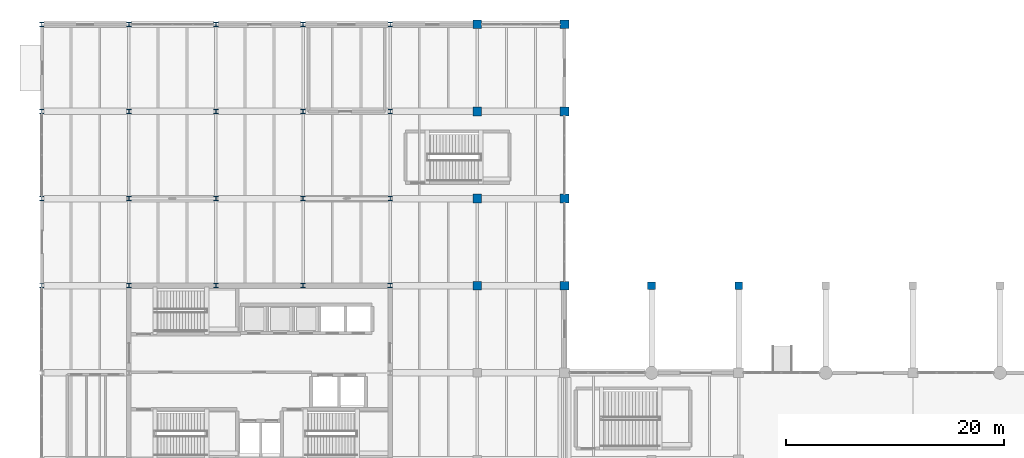
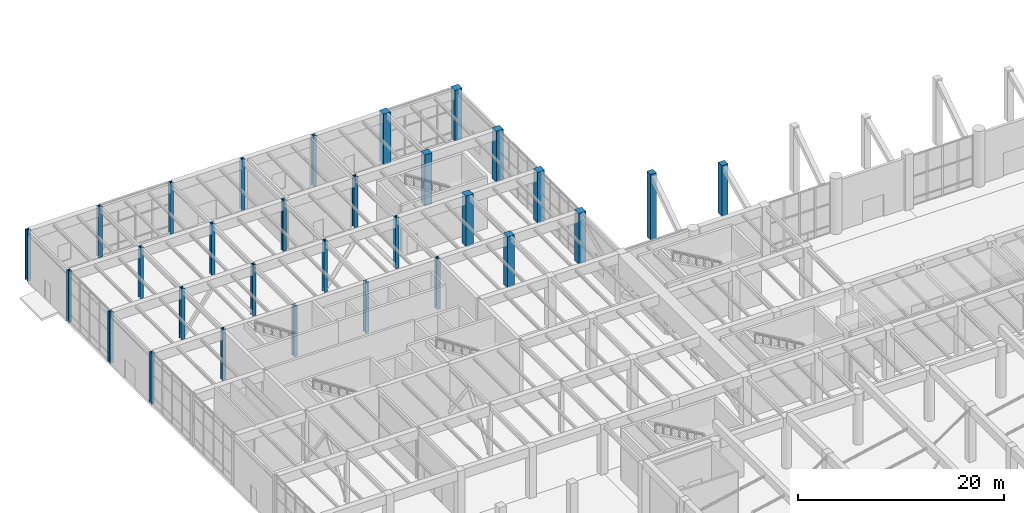
# One storey, part 4 of 51: 30 columns.
"""IFC4 building model written with IfcOpenShell, lengths in metres."""

from ifc_helpers import new_model, si_unit, direction, frame, origin, origin_2d, place, context, subcontext, project, spatial, rectangle, i_section, extrude, material, material_profile, profile_set, type_object, element, save


model = new_model("IFC4")

# Units and contexts
model_context = context("Model", 3, precision=1e-05, world=origin(), true_north=direction((0.0, 1.0)))
body_context = subcontext(model_context, "Body", "Model", "MODEL_VIEW")
ifc_project = project(units=[si_unit("LENGTHUNIT", "METRE"), si_unit("AREAUNIT", "SQUARE_METRE"), si_unit("VOLUMEUNIT", "CUBIC_METRE"), si_unit("PLANEANGLEUNIT", "RADIAN"), si_unit("MASSUNIT", "GRAM", prefix="KILO")], contexts=[model_context])

# Site, building, storey
site_placement = place(None, origin())
site = spatial("IfcSite", under=ifc_project, at=site_placement, CompositionType="ELEMENT")
building_placement = place(site_placement, origin())
building = spatial("IfcBuilding", under=site, at=building_placement, Name="Varnela Railside Interchange", CompositionType="ELEMENT")
storey_placement = place(building_placement, origin())
storey = spatial("IfcBuildingStorey", under=building, at=storey_placement, Name="L00", CompositionType="ELEMENT", Elevation=0.0)

# Columns
ifc_material_1 = material(Name="Concrete C50", Category="concrete")
ifc_material_profile_1 = material_profile(ifc_material_1, rectangle(XDim=0.800048828125, YDim=0.800048828125, at=origin_2d()), Name="RC 800x800")
ifc_profile_set_1 = profile_set([ifc_material_profile_1], Name="Concrete C50")
column_type_1 = type_object("IfcColumnType", Name="Podium Concourse Column C-03", PredefinedType="COLUMN", material=ifc_profile_set_1)
for number, where, z_axis, x_axis, name in (
    (1, (44.0, 70.0, 0.0), (0.0, 0.0, 1.0), (1.0, 0.0, 0.0), "Column C-03 (L00) (CL-0540)"),
    (2, (44.0, 78.0, 0.0), (0.0, 0.0, 1.0), (1.0, 0.0, 0.0), "Column C-03 (L00) (CL-0541)"),
    (3, (44.0, 86.0, 0.0), (0.0, 0.0, 1.0), (1.0, 0.0, 0.0), "Column C-03 (L00) (CL-0542)"),
    (4, (44.0, 94.0, 0.0), (0.0, 0.0, 1.0), (1.0, 0.0, 0.0), "Column C-03 (L00) (CL-0543)"),
    (5, (52.0, 70.0, 0.0), (0.0, 0.0, 1.0), (1.0, 0.0, 0.0), "Column C-03 (L00) (CL-0550)"),
    (6, (52.0, 78.0, 0.0), (0.0, 0.0, 1.0), (1.0, 0.0, 0.0), "Column C-03 (L00) (CL-0551)"),
    (7, (52.0, 86.0, 0.0), (0.0, 0.0, 1.0), (1.0, 0.0, 0.0), "Column C-03 (L00) (CL-0552)"),
    (8, (52.0, 94.0, 0.0), (0.0, 0.0, 1.0), (1.0, 0.0, 0.0), "Column C-03 (L00) (CL-0553)"),
):
    element("IfcColumn", number, at=place(storey_placement, frame(where, z_axis=z_axis, x_axis=x_axis)), inside=storey, type_object=column_type_1, Name=name, PredefinedType="COLUMN", context=body_context, shape_type="SweptSolid", body=[
        extrude(rectangle(XDim=0.800048828125, YDim=0.800048828125, at=origin_2d()), origin(), (0.0, 0.0, 1.0), 6.02001953125),
    ])
ifc_material_profile_2 = material_profile(ifc_material_1, rectangle(XDim=0.699951171875, YDim=0.699951171875, at=origin_2d()), Name="RC 700x700")
ifc_profile_set_2 = profile_set([ifc_material_profile_2], Name="Concrete C50")
column_type_2 = type_object("IfcColumnType", Name="Podium Gallery Column C-02", PredefinedType="COLUMN", material=ifc_profile_set_2)
column_1_placement = place(storey_placement, frame((60.0, 70.0, 0.0), z_axis=(0.0, 0.0, 1.0), x_axis=(1.0, 0.0, 0.0)))
element("IfcColumn", 9, at=column_1_placement, inside=storey, type_object=column_type_2, Name="Column C-02 (L00) (CL-0568)", PredefinedType="COLUMN", context=body_context, shape_type="SweptSolid", body=[
    extrude(rectangle(XDim=0.699951171875, YDim=0.699951171875, at=origin_2d()), origin(), (0.0, 0.0, 1.0), 7.75),
])
column_2_placement = place(storey_placement, frame((68.0, 70.0, 0.0), z_axis=(0.0, 0.0, 1.0), x_axis=(1.0, 0.0, 0.0)))
element("IfcColumn", 10, at=column_2_placement, inside=storey, type_object=column_type_2, Name="Column C-02 (L00) (CL-0569)", PredefinedType="COLUMN", context=body_context, shape_type="SweptSolid", body=[
    extrude(rectangle(XDim=0.699951171875, YDim=0.699951171875, at=origin_2d()), origin(), (0.0, 0.0, 1.0), 6.02001953125),
])
ifc_material_2 = material(Name="Steel AR 350 (350 MPa)", Category="steel")
ifc_material_profile_3 = material_profile(ifc_material_2, i_section(OverallWidth=0.406005859375, OverallDepth=0.416015625, WebThickness=0.02978515625, FlangeThickness=0.048095703125, at=origin_2d()), Name="W360x382")
ifc_profile_set_3 = profile_set([ifc_material_profile_3], Name="Steel AR 350 (350 MPa)")
column_type_3 = type_object("IfcColumnType", Name="Superstructure Steel Col C-14", PredefinedType="COLUMN", material=ifc_profile_set_3)
for number, where, z_axis, x_axis, name in (
    (11, (12.0, 70.0, 0.0), (0.0, 0.0, 1.0), (1.0, 0.0, 0.0), "Column C-14 (L00) (CL-0499)"),
    (12, (20.0, 70.0, 0.0), (0.0, 0.0, 1.0), (1.0, 0.0, 0.0), "Column C-14 (L00) (CL-0508)"),
    (13, (28.0, 70.0, 0.0), (0.0, 0.0, 1.0), (1.0, 0.0, 0.0), "Column C-14 (L00) (CL-0518)"),
    (14, (36.0, 70.0, 0.0), (0.0, 0.0, 1.0), (1.0, 0.0, 0.0), "Column C-14 (L00) (CL-0530)"),
):
    element("IfcColumn", number, at=place(storey_placement, frame(where, z_axis=z_axis, x_axis=x_axis)), inside=storey, type_object=column_type_3, Name=name, PredefinedType="COLUMN", context=body_context, shape_type="SweptSolid", body=[
        extrude(i_section(OverallWidth=0.406005859375, OverallDepth=0.416015625, WebThickness=0.02978515625, FlangeThickness=0.048095703125, at=origin_2d()), origin(), (0.0, 0.0, 1.0), 6.02001953125),
    ])
ifc_material_profile_4 = material_profile(ifc_material_2, i_section(OverallWidth=0.40087890625, OverallDepth=0.39892578125, WebThickness=0.02490234375, FlangeThickness=0.03955078125, at=origin_2d()), Name="W360x314")
ifc_profile_set_4 = profile_set([ifc_material_profile_4], Name="Steel AR 350 (350 MPa)")
column_type_4 = type_object("IfcColumnType", Name="Superstructure Steel Col C-15", PredefinedType="COLUMN", material=ifc_profile_set_4)
for number, where, z_axis, x_axis, name in (
    (15, (4.0, 70.0, 0.0), (0.0, 0.0, 1.0), (1.0, 0.0, 0.0), "Column C-15 (L00) (CL-0481)"),
    (16, (4.0, 78.0, 0.0), (0.0, 0.0, 1.0), (1.0, 0.0, 0.0), "Column C-15 (L00) (CL-0482)"),
    (17, (4.0, 86.0, 0.0), (0.0, 0.0, 1.0), (1.0, 0.0, 0.0), "Column C-15 (L00) (CL-0483)"),
    (18, (4.0, 94.0, 0.0), (0.0, 0.0, 1.0), (1.0, 0.0, 0.0), "Column C-15 (L00) (CL-0484)"),
    (19, (12.0, 78.0, 0.0), (0.0, 0.0, 1.0), (1.0, 0.0, 0.0), "Column C-15 (L00) (CL-0500)"),
    (20, (12.0, 86.0, 0.0), (0.0, 0.0, 1.0), (1.0, 0.0, 0.0), "Column C-15 (L00) (CL-0501)"),
    (21, (12.0, 94.0, 0.0), (0.0, 0.0, 1.0), (1.0, 0.0, 0.0), "Column C-15 (L00) (CL-0502)"),
    (22, (20.0, 78.0, 0.0), (0.0, 0.0, 1.0), (1.0, 0.0, 0.0), "Column C-15 (L00) (CL-0509)"),
    (23, (20.0, 86.0, 0.0), (0.0, 0.0, 1.0), (1.0, 0.0, 0.0), "Column C-15 (L00) (CL-0510)"),
    (24, (20.0, 94.0, 0.0), (0.0, 0.0, 1.0), (1.0, 0.0, 0.0), "Column C-15 (L00) (CL-0511)"),
    (25, (28.0, 78.0, 0.0), (0.0, 0.0, 1.0), (1.0, 0.0, 0.0), "Column C-15 (L00) (CL-0519)"),
    (26, (28.0, 86.0, 0.0), (0.0, 0.0, 1.0), (1.0, 0.0, 0.0), "Column C-15 (L00) (CL-0520)"),
    (27, (28.0, 94.0, 0.0), (0.0, 0.0, 1.0), (1.0, 0.0, 0.0), "Column C-15 (L00) (CL-0521)"),
    (28, (36.0, 78.0, 0.0), (0.0, 0.0, 1.0), (1.0, 0.0, 0.0), "Column C-15 (L00) (CL-0531)"),
    (29, (36.0, 86.0, 0.0), (0.0, 0.0, 1.0), (1.0, 0.0, 0.0), "Column C-15 (L00) (CL-0532)"),
    (30, (36.0, 94.0, 0.0), (0.0, 0.0, 1.0), (1.0, 0.0, 0.0), "Column C-15 (L00) (CL-0533)"),
):
    element("IfcColumn", number, at=place(storey_placement, frame(where, z_axis=z_axis, x_axis=x_axis)), inside=storey, type_object=column_type_4, Name=name, PredefinedType="COLUMN", context=body_context, shape_type="SweptSolid", body=[
        extrude(i_section(OverallWidth=0.40087890625, OverallDepth=0.39892578125, WebThickness=0.02490234375, FlangeThickness=0.03955078125, at=origin_2d()), origin(), (0.0, 0.0, 1.0), 6.02001953125),
    ])

save(model, "model.ifc")
